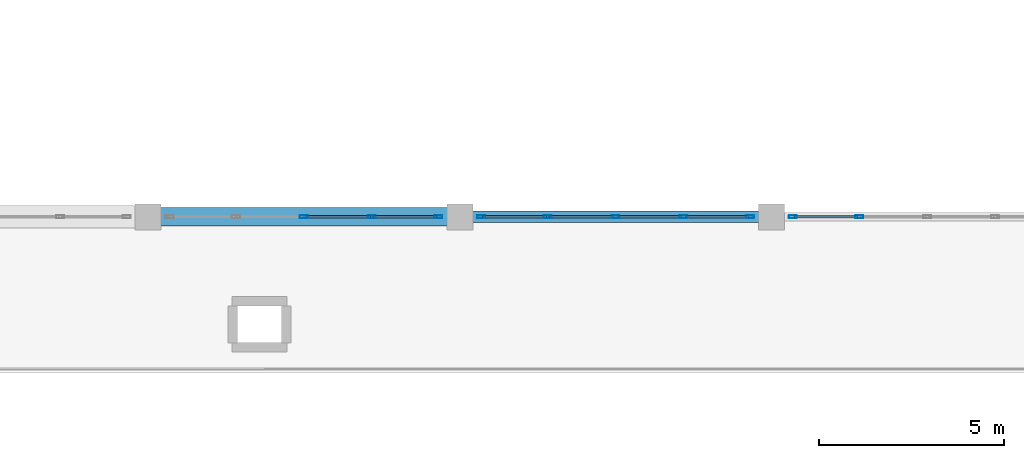
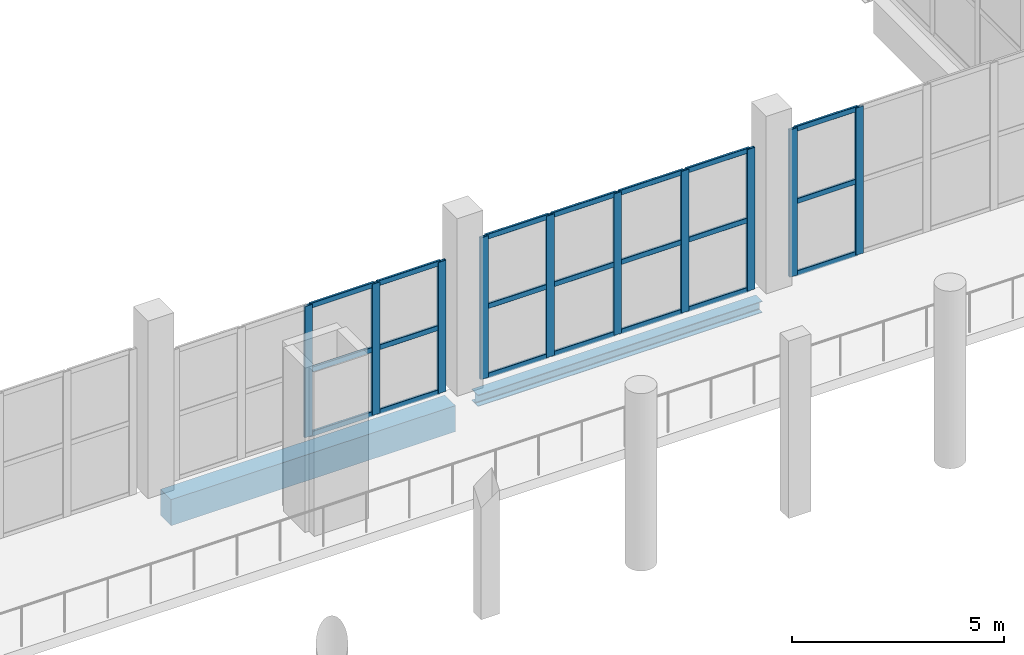
# One storey, part 11 of 66: 31 members, 2 beams, 3 elements without a shape of their own.
"""IFC4 building model written with IfcOpenShell, lengths in metres."""

from ifc_helpers import new_model, si_unit, direction, frame, origin, origin_2d, place, context, subcontext, project, spatial, rectangle, hollow_rectangle, i_section, extrude, material, layer, layer_set, material_profile, profile_set, type_object, element, aggregate, save


model = new_model("IFC4")

# Units and contexts
model_context = context("Model", 3, precision=1e-05, world=origin(), true_north=direction((0.0, 1.0)))
body_context = subcontext(model_context, "Body", "Model", "MODEL_VIEW")
ifc_project = project(units=[si_unit("LENGTHUNIT", "METRE"), si_unit("AREAUNIT", "SQUARE_METRE"), si_unit("VOLUMEUNIT", "CUBIC_METRE"), si_unit("PLANEANGLEUNIT", "RADIAN"), si_unit("MASSUNIT", "GRAM", prefix="KILO")], contexts=[model_context])

# Site, building, storey
site_placement = place(None, origin())
site = spatial("IfcSite", under=ifc_project, at=site_placement, CompositionType="ELEMENT")
building_placement = place(site_placement, origin())
building = spatial("IfcBuilding", under=site, at=building_placement, Name="Zulmaris Art Gallery", CompositionType="ELEMENT")
storey_placement = place(building_placement, frame((0.0, 0.0, 5.39990234375)))
storey = spatial("IfcBuildingStorey", under=building, at=storey_placement, Name="L01", CompositionType="ELEMENT", Elevation=5.39990234375)

# Beams
ifc_material_1 = material(Name="Steel S355J2", Category="steel")
ifc_material_profile_1 = material_profile(ifc_material_1, i_section(OverallWidth=0.300048828125, OverallDepth=0.330078125, WebThickness=0.009521484375, FlangeThickness=0.0166015625, FilletRadius=0.027099609375, at=origin_2d()), Name="HEA 340")
ifc_profile_set_1 = profile_set([ifc_material_profile_1], Name="Steel S355J2")
beam_type_1 = type_object("IfcBeamType", Name="BEAM-BM08", PredefinedType="BEAM", material=ifc_profile_set_1)
beam_1_placement = place(storey_placement, frame((108.3349609375, 21.60009765625, -0.494873046875), z_axis=(1.0, 0.0, 0.0), x_axis=(0.0, 1.0, 0.0)))
element("IfcBeam", 1, at=beam_1_placement, inside=storey, type_object=beam_type_1, Name="L01 X-girder (108.0..116.4, y=21.6)", PredefinedType="BEAM", context=body_context, shape_type="SweptSolid", body=[
    extrude(i_section(OverallWidth=0.300048828125, OverallDepth=0.330078125, WebThickness=0.009521484375, FlangeThickness=0.0166015625, FilletRadius=0.027099609375, at=origin_2d()), origin(), (0.0, 0.0, 1.0), 7.72998046875),
])
ifc_material_2 = material(Name="Concrete C40/50", Category="concrete")
ifc_material_profile_2 = material_profile(ifc_material_2, rectangle(XDim=0.5, YDim=0.75, at=origin_2d()), Name="RC 500x750")
ifc_profile_set_2 = profile_set([ifc_material_profile_2], Name="Concrete C40/50")
beam_type_2 = type_object("IfcBeamType", Name="BEAM-BM20", PredefinedType="BEAM", material=ifc_profile_set_2)
beam_2_placement = place(storey_placement, frame((99.93505859375, 21.60009765625, -0.704833984375), z_axis=(1.0, 0.0, 0.0), x_axis=(0.0, 1.0, 0.0)))
element("IfcBeam", 2, at=beam_2_placement, inside=storey, type_object=beam_type_2, Name="L01 X-girder (99.6..108.0, y=21.6)", PredefinedType="BEAM", context=body_context, shape_type="SweptSolid", body=[
    extrude(rectangle(XDim=0.5, YDim=0.75, at=origin_2d()), origin(), (0.0, 0.0, 1.0), 7.72998046875),
])

# Curtain wall, members
ifc_material_3 = material(Name="Cloister & Court Glazed Curtain Wall", Category="aluminium")
ifc_layer = layer(ifc_material_3, 0.179931640625)
ifc_layer_set = layer_set([ifc_layer], Name="Cloister & Court Glazed Curtain Wall")
curtain_wall_type = type_object("IfcCurtainWallType", Name="CW-CW03", PredefinedType="NOTDEFINED", material=ifc_layer_set)
curtain_wall_1_placement = place(storey_placement, origin())
curtain_wall_1 = element("IfcCurtainWall", 3, at=curtain_wall_1_placement, inside=storey, type_object=curtain_wall_type, Name="L01 curtain wall 190", PredefinedType="NOTDEFINED")
ifc_material_4 = material(Name="Anodised Bronze Aluminium", Category="aluminium")
ifc_material_profile_3 = material_profile(ifc_material_4, hollow_rectangle(XDim=0.074951171875, YDim=0.219970703125, WallThickness=0.0048828125, InnerFilletRadius=0.007568359375, OuterFilletRadius=0.012451171875, at=origin_2d()), Name="ALU 75x220x5")
ifc_profile_set_3 = profile_set([ifc_material_profile_3], Name="Anodised Bronze Aluminium")
member_type_1 = type_object("IfcMemberType", Name="CWMUL-02", PredefinedType="MULLION", material=ifc_profile_set_3)
member_1_placement = place(storey_placement, frame((103.800048828125, 21.60009765625, 0.0), z_axis=(0.0, 0.0, 1.0), x_axis=(0.0, 1.0, 0.0)))
member_1 = element("IfcMember", 4, at=member_1_placement, type_object=member_type_1, Name="CW03 mullion 3", PredefinedType="MULLION", context=body_context, shape_type="SweptSolid", body=[
    extrude(hollow_rectangle(XDim=0.074951171875, YDim=0.219970703125, WallThickness=0.0048828125, InnerFilletRadius=0.007568359375, OuterFilletRadius=0.012451171875, at=origin_2d()), origin(), (0.0, 0.0, 1.0), 3.77001953125),
])
member_2_placement = place(storey_placement, frame((105.6298828125, 21.60009765625, 0.0), z_axis=(0.0, 0.0, 1.0), x_axis=(0.0, 1.0, 0.0)))
member_2 = element("IfcMember", 5, at=member_2_placement, type_object=member_type_1, Name="CW03 mullion 4", PredefinedType="MULLION", context=body_context, shape_type="SweptSolid", body=[
    extrude(hollow_rectangle(XDim=0.074951171875, YDim=0.219970703125, WallThickness=0.0048828125, InnerFilletRadius=0.007568359375, OuterFilletRadius=0.012451171875, at=origin_2d()), origin(), (0.0, 0.0, 1.0), 3.77001953125),
])
member_3_placement = place(storey_placement, frame((107.422607421875, 21.60009765625, 0.0), z_axis=(0.0, 0.0, 1.0), x_axis=(0.0, 1.0, 0.0)))
member_3 = element("IfcMember", 6, at=member_3_placement, type_object=member_type_1, Name="CW03 mullion 5", PredefinedType="MULLION", context=body_context, shape_type="SweptSolid", body=[
    extrude(hollow_rectangle(XDim=0.074951171875, YDim=0.219970703125, WallThickness=0.0048828125, InnerFilletRadius=0.007568359375, OuterFilletRadius=0.012451171875, at=origin_2d()), origin(), (0.0, 0.0, 1.0), 3.77001953125),
])

curtain_wall_2_placement = place(storey_placement, origin())
curtain_wall_2 = element("IfcCurtainWall", 7, at=curtain_wall_2_placement, inside=storey, type_object=curtain_wall_type, Name="L01 curtain wall 191", PredefinedType="NOTDEFINED")
member_4_placement = place(storey_placement, frame((108.577392578125, 21.60009765625, 0.0), z_axis=(0.0, 0.0, 1.0), x_axis=(0.0, 1.0, 0.0)))
member_4 = element("IfcMember", 8, at=member_4_placement, type_object=member_type_1, Name="CW03 mullion 1", PredefinedType="MULLION", context=body_context, shape_type="SweptSolid", body=[
    extrude(hollow_rectangle(XDim=0.074951171875, YDim=0.219970703125, WallThickness=0.0048828125, InnerFilletRadius=0.007568359375, OuterFilletRadius=0.012451171875, at=origin_2d()), origin(), (0.0, 0.0, 1.0), 4.070068359375),
])
member_5_placement = place(storey_placement, frame((110.3701171875, 21.60009765625, 0.0), z_axis=(0.0, 0.0, 1.0), x_axis=(0.0, 1.0, 0.0)))
member_5 = element("IfcMember", 9, at=member_5_placement, type_object=member_type_1, Name="CW03 mullion 2", PredefinedType="MULLION", context=body_context, shape_type="SweptSolid", body=[
    extrude(hollow_rectangle(XDim=0.074951171875, YDim=0.219970703125, WallThickness=0.0048828125, InnerFilletRadius=0.007568359375, OuterFilletRadius=0.012451171875, at=origin_2d()), origin(), (0.0, 0.0, 1.0), 4.070068359375),
])
member_6_placement = place(storey_placement, frame((112.199951171875, 21.60009765625, 0.0), z_axis=(0.0, 0.0, 1.0), x_axis=(0.0, 1.0, 0.0)))
member_6 = element("IfcMember", 10, at=member_6_placement, type_object=member_type_1, Name="CW03 mullion 3", PredefinedType="MULLION", context=body_context, shape_type="SweptSolid", body=[
    extrude(hollow_rectangle(XDim=0.074951171875, YDim=0.219970703125, WallThickness=0.0048828125, InnerFilletRadius=0.007568359375, OuterFilletRadius=0.012451171875, at=origin_2d()), origin(), (0.0, 0.0, 1.0), 4.070068359375),
])
member_7_placement = place(storey_placement, frame((114.030029296875, 21.60009765625, 0.0), z_axis=(0.0, 0.0, 1.0), x_axis=(0.0, 1.0, 0.0)))
member_7 = element("IfcMember", 11, at=member_7_placement, type_object=member_type_1, Name="CW03 mullion 4", PredefinedType="MULLION", context=body_context, shape_type="SweptSolid", body=[
    extrude(hollow_rectangle(XDim=0.074951171875, YDim=0.219970703125, WallThickness=0.0048828125, InnerFilletRadius=0.007568359375, OuterFilletRadius=0.012451171875, at=origin_2d()), origin(), (0.0, 0.0, 1.0), 4.070068359375),
])
member_8_placement = place(storey_placement, frame((115.822509765625, 21.60009765625, 0.0), z_axis=(0.0, 0.0, 1.0), x_axis=(0.0, 1.0, 0.0)))
member_8 = element("IfcMember", 12, at=member_8_placement, type_object=member_type_1, Name="CW03 mullion 5", PredefinedType="MULLION", context=body_context, shape_type="SweptSolid", body=[
    extrude(hollow_rectangle(XDim=0.074951171875, YDim=0.219970703125, WallThickness=0.0048828125, InnerFilletRadius=0.007568359375, OuterFilletRadius=0.012451171875, at=origin_2d()), origin(), (0.0, 0.0, 1.0), 4.070068359375),
])

curtain_wall_3_placement = place(storey_placement, origin())
curtain_wall_3 = element("IfcCurtainWall", 13, at=curtain_wall_3_placement, inside=storey, type_object=curtain_wall_type, Name="L01 curtain wall 192", PredefinedType="NOTDEFINED")
member_9_placement = place(storey_placement, frame((116.9775390625, 21.60009765625, 0.0), z_axis=(0.0, 0.0, 1.0), x_axis=(0.0, 1.0, 0.0)))
member_9 = element("IfcMember", 14, at=member_9_placement, type_object=member_type_1, Name="CW03 mullion 1", PredefinedType="MULLION", context=body_context, shape_type="SweptSolid", body=[
    extrude(hollow_rectangle(XDim=0.074951171875, YDim=0.219970703125, WallThickness=0.0048828125, InnerFilletRadius=0.007568359375, OuterFilletRadius=0.012451171875, at=origin_2d()), origin(), (0.0, 0.0, 1.0), 4.22998046875),
])
member_10_placement = place(storey_placement, frame((118.77001953125, 21.60009765625, 0.0), z_axis=(0.0, 0.0, 1.0), x_axis=(0.0, 1.0, 0.0)))
member_10 = element("IfcMember", 15, at=member_10_placement, type_object=member_type_1, Name="CW03 mullion 2", PredefinedType="MULLION", context=body_context, shape_type="SweptSolid", body=[
    extrude(hollow_rectangle(XDim=0.074951171875, YDim=0.219970703125, WallThickness=0.0048828125, InnerFilletRadius=0.007568359375, OuterFilletRadius=0.012451171875, at=origin_2d()), origin(), (0.0, 0.0, 1.0), 4.22998046875),
])

# Member
ifc_material_profile_4 = material_profile(ifc_material_4, hollow_rectangle(XDim=0.06494140625, YDim=0.14990234375, WallThickness=0.00390625, InnerFilletRadius=0.006103515625, OuterFilletRadius=0.010009765625, at=origin_2d()), Name="ALU 65x150x4")
ifc_profile_set_4 = profile_set([ifc_material_profile_4], Name="Anodised Bronze Aluminium")
member_type_2 = type_object("IfcMemberType", Name="CWTRN-01", PredefinedType="USERDEFINED", material=ifc_profile_set_4)
member_11_placement = place(storey_placement, frame((103.83740234375, 21.60009765625, 0.03759765625), z_axis=(1.0, 0.0, 0.0), x_axis=(0.0, 1.0, 0.0)))
member_11 = element("IfcMember", 16, at=member_11_placement, type_object=member_type_2, Name="CW03 transom 3.1", ObjectType="TRANSOM", PredefinedType="USERDEFINED", context=body_context, shape_type="SweptSolid", body=[
    extrude(hollow_rectangle(XDim=0.06494140625, YDim=0.14990234375, WallThickness=0.00390625, InnerFilletRadius=0.006103515625, OuterFilletRadius=0.010009765625, at=origin_2d()), origin(), (0.0, 0.0, 1.0), 1.755126953125),
])

member_12_placement = place(storey_placement, frame((103.83740234375, 21.60009765625, 1.885009765625), z_axis=(1.0, 0.0, 0.0), x_axis=(0.0, 1.0, 0.0)))
member_12 = element("IfcMember", 17, at=member_12_placement, type_object=member_type_2, Name="CW03 transom 3.2", ObjectType="TRANSOM", PredefinedType="USERDEFINED", context=body_context, shape_type="SweptSolid", body=[
    extrude(hollow_rectangle(XDim=0.06494140625, YDim=0.14990234375, WallThickness=0.00390625, InnerFilletRadius=0.006103515625, OuterFilletRadius=0.010009765625, at=origin_2d()), origin(), (0.0, 0.0, 1.0), 1.755126953125),
])

member_13_placement = place(storey_placement, frame((103.83740234375, 21.60009765625, 3.732666015625), z_axis=(1.0, 0.0, 0.0), x_axis=(0.0, 1.0, 0.0)))
member_13 = element("IfcMember", 18, at=member_13_placement, type_object=member_type_2, Name="CW03 transom 3.3", ObjectType="TRANSOM", PredefinedType="USERDEFINED", context=body_context, shape_type="SweptSolid", body=[
    extrude(hollow_rectangle(XDim=0.06494140625, YDim=0.14990234375, WallThickness=0.00390625, InnerFilletRadius=0.006103515625, OuterFilletRadius=0.010009765625, at=origin_2d()), origin(), (0.0, 0.0, 1.0), 1.755126953125),
])

member_14_placement = place(storey_placement, frame((105.66748046875, 21.60009765625, 0.03759765625), z_axis=(1.0, 0.0, 0.0), x_axis=(0.0, 1.0, 0.0)))
member_14 = element("IfcMember", 19, at=member_14_placement, type_object=member_type_2, Name="CW03 transom 4.1", ObjectType="TRANSOM", PredefinedType="USERDEFINED", context=body_context, shape_type="SweptSolid", body=[
    extrude(hollow_rectangle(XDim=0.06494140625, YDim=0.14990234375, WallThickness=0.00390625, InnerFilletRadius=0.006103515625, OuterFilletRadius=0.010009765625, at=origin_2d()), origin(), (0.0, 0.0, 1.0), 1.717529296875),
])

member_15_placement = place(storey_placement, frame((105.66748046875, 21.60009765625, 1.885009765625), z_axis=(1.0, 0.0, 0.0), x_axis=(0.0, 1.0, 0.0)))
member_15 = element("IfcMember", 20, at=member_15_placement, type_object=member_type_2, Name="CW03 transom 4.2", ObjectType="TRANSOM", PredefinedType="USERDEFINED", context=body_context, shape_type="SweptSolid", body=[
    extrude(hollow_rectangle(XDim=0.06494140625, YDim=0.14990234375, WallThickness=0.00390625, InnerFilletRadius=0.006103515625, OuterFilletRadius=0.010009765625, at=origin_2d()), origin(), (0.0, 0.0, 1.0), 1.717529296875),
])

member_16_placement = place(storey_placement, frame((105.66748046875, 21.60009765625, 3.732666015625), z_axis=(1.0, 0.0, 0.0), x_axis=(0.0, 1.0, 0.0)))
member_16 = element("IfcMember", 21, at=member_16_placement, type_object=member_type_2, Name="CW03 transom 4.3", ObjectType="TRANSOM", PredefinedType="USERDEFINED", context=body_context, shape_type="SweptSolid", body=[
    extrude(hollow_rectangle(XDim=0.06494140625, YDim=0.14990234375, WallThickness=0.00390625, InnerFilletRadius=0.006103515625, OuterFilletRadius=0.010009765625, at=origin_2d()), origin(), (0.0, 0.0, 1.0), 1.717529296875),
])

aggregate(curtain_wall_1, [member_1, member_2, member_3, member_11, member_12, member_13, member_14, member_15, member_16])

member_17_placement = place(storey_placement, frame((108.614990234375, 21.60009765625, 0.03759765625), z_axis=(1.0, 0.0, 0.0), x_axis=(0.0, 1.0, 0.0)))
member_17 = element("IfcMember", 22, at=member_17_placement, type_object=member_type_2, Name="CW03 transom 1.1", ObjectType="TRANSOM", PredefinedType="USERDEFINED", context=body_context, shape_type="SweptSolid", body=[
    extrude(hollow_rectangle(XDim=0.06494140625, YDim=0.14990234375, WallThickness=0.00390625, InnerFilletRadius=0.006103515625, OuterFilletRadius=0.010009765625, at=origin_2d()), origin(), (0.0, 0.0, 1.0), 1.717529296875),
])

member_18_placement = place(storey_placement, frame((108.614990234375, 21.60009765625, 2.03515625), z_axis=(1.0, 0.0, 0.0), x_axis=(0.0, 1.0, 0.0)))
member_18 = element("IfcMember", 23, at=member_18_placement, type_object=member_type_2, Name="CW03 transom 1.2", ObjectType="TRANSOM", PredefinedType="USERDEFINED", context=body_context, shape_type="SweptSolid", body=[
    extrude(hollow_rectangle(XDim=0.06494140625, YDim=0.14990234375, WallThickness=0.00390625, InnerFilletRadius=0.006103515625, OuterFilletRadius=0.010009765625, at=origin_2d()), origin(), (0.0, 0.0, 1.0), 1.717529296875),
])

member_19_placement = place(storey_placement, frame((108.614990234375, 21.60009765625, 4.03271484375), z_axis=(1.0, 0.0, 0.0), x_axis=(0.0, 1.0, 0.0)))
member_19 = element("IfcMember", 24, at=member_19_placement, type_object=member_type_2, Name="CW03 transom 1.3", ObjectType="TRANSOM", PredefinedType="USERDEFINED", context=body_context, shape_type="SweptSolid", body=[
    extrude(hollow_rectangle(XDim=0.06494140625, YDim=0.14990234375, WallThickness=0.00390625, InnerFilletRadius=0.006103515625, OuterFilletRadius=0.010009765625, at=origin_2d()), origin(), (0.0, 0.0, 1.0), 1.717529296875),
])

member_20_placement = place(storey_placement, frame((110.407470703125, 21.60009765625, 0.03759765625), z_axis=(1.0, 0.0, 0.0), x_axis=(0.0, 1.0, 0.0)))
member_20 = element("IfcMember", 25, at=member_20_placement, type_object=member_type_2, Name="CW03 transom 2.1", ObjectType="TRANSOM", PredefinedType="USERDEFINED", context=body_context, shape_type="SweptSolid", body=[
    extrude(hollow_rectangle(XDim=0.06494140625, YDim=0.14990234375, WallThickness=0.00390625, InnerFilletRadius=0.006103515625, OuterFilletRadius=0.010009765625, at=origin_2d()), origin(), (0.0, 0.0, 1.0), 1.755126953125),
])

member_21_placement = place(storey_placement, frame((110.407470703125, 21.60009765625, 2.03515625), z_axis=(1.0, 0.0, 0.0), x_axis=(0.0, 1.0, 0.0)))
member_21 = element("IfcMember", 26, at=member_21_placement, type_object=member_type_2, Name="CW03 transom 2.2", ObjectType="TRANSOM", PredefinedType="USERDEFINED", context=body_context, shape_type="SweptSolid", body=[
    extrude(hollow_rectangle(XDim=0.06494140625, YDim=0.14990234375, WallThickness=0.00390625, InnerFilletRadius=0.006103515625, OuterFilletRadius=0.010009765625, at=origin_2d()), origin(), (0.0, 0.0, 1.0), 1.755126953125),
])

member_22_placement = place(storey_placement, frame((110.407470703125, 21.60009765625, 4.03271484375), z_axis=(1.0, 0.0, 0.0), x_axis=(0.0, 1.0, 0.0)))
member_22 = element("IfcMember", 27, at=member_22_placement, type_object=member_type_2, Name="CW03 transom 2.3", ObjectType="TRANSOM", PredefinedType="USERDEFINED", context=body_context, shape_type="SweptSolid", body=[
    extrude(hollow_rectangle(XDim=0.06494140625, YDim=0.14990234375, WallThickness=0.00390625, InnerFilletRadius=0.006103515625, OuterFilletRadius=0.010009765625, at=origin_2d()), origin(), (0.0, 0.0, 1.0), 1.755126953125),
])

member_23_placement = place(storey_placement, frame((112.237548828125, 21.60009765625, 0.03759765625), z_axis=(1.0, 0.0, 0.0), x_axis=(0.0, 1.0, 0.0)))
member_23 = element("IfcMember", 28, at=member_23_placement, type_object=member_type_2, Name="CW03 transom 3.1", ObjectType="TRANSOM", PredefinedType="USERDEFINED", context=body_context, shape_type="SweptSolid", body=[
    extrude(hollow_rectangle(XDim=0.06494140625, YDim=0.14990234375, WallThickness=0.00390625, InnerFilletRadius=0.006103515625, OuterFilletRadius=0.010009765625, at=origin_2d()), origin(), (0.0, 0.0, 1.0), 1.7548828125),
])

member_24_placement = place(storey_placement, frame((112.237548828125, 21.60009765625, 2.03515625), z_axis=(1.0, 0.0, 0.0), x_axis=(0.0, 1.0, 0.0)))
member_24 = element("IfcMember", 29, at=member_24_placement, type_object=member_type_2, Name="CW03 transom 3.2", ObjectType="TRANSOM", PredefinedType="USERDEFINED", context=body_context, shape_type="SweptSolid", body=[
    extrude(hollow_rectangle(XDim=0.06494140625, YDim=0.14990234375, WallThickness=0.00390625, InnerFilletRadius=0.006103515625, OuterFilletRadius=0.010009765625, at=origin_2d()), origin(), (0.0, 0.0, 1.0), 1.7548828125),
])

member_25_placement = place(storey_placement, frame((112.237548828125, 21.60009765625, 4.03271484375), z_axis=(1.0, 0.0, 0.0), x_axis=(0.0, 1.0, 0.0)))
member_25 = element("IfcMember", 30, at=member_25_placement, type_object=member_type_2, Name="CW03 transom 3.3", ObjectType="TRANSOM", PredefinedType="USERDEFINED", context=body_context, shape_type="SweptSolid", body=[
    extrude(hollow_rectangle(XDim=0.06494140625, YDim=0.14990234375, WallThickness=0.00390625, InnerFilletRadius=0.006103515625, OuterFilletRadius=0.010009765625, at=origin_2d()), origin(), (0.0, 0.0, 1.0), 1.7548828125),
])

member_26_placement = place(storey_placement, frame((114.0673828125, 21.60009765625, 0.03759765625), z_axis=(1.0, 0.0, 0.0), x_axis=(0.0, 1.0, 0.0)))
member_26 = element("IfcMember", 31, at=member_26_placement, type_object=member_type_2, Name="CW03 transom 4.1", ObjectType="TRANSOM", PredefinedType="USERDEFINED", context=body_context, shape_type="SweptSolid", body=[
    extrude(hollow_rectangle(XDim=0.06494140625, YDim=0.14990234375, WallThickness=0.00390625, InnerFilletRadius=0.006103515625, OuterFilletRadius=0.010009765625, at=origin_2d()), origin(), (0.0, 0.0, 1.0), 1.717529296875),
])

member_27_placement = place(storey_placement, frame((114.0673828125, 21.60009765625, 2.03515625), z_axis=(1.0, 0.0, 0.0), x_axis=(0.0, 1.0, 0.0)))
member_27 = element("IfcMember", 32, at=member_27_placement, type_object=member_type_2, Name="CW03 transom 4.2", ObjectType="TRANSOM", PredefinedType="USERDEFINED", context=body_context, shape_type="SweptSolid", body=[
    extrude(hollow_rectangle(XDim=0.06494140625, YDim=0.14990234375, WallThickness=0.00390625, InnerFilletRadius=0.006103515625, OuterFilletRadius=0.010009765625, at=origin_2d()), origin(), (0.0, 0.0, 1.0), 1.717529296875),
])

member_28_placement = place(storey_placement, frame((114.0673828125, 21.60009765625, 4.03271484375), z_axis=(1.0, 0.0, 0.0), x_axis=(0.0, 1.0, 0.0)))
member_28 = element("IfcMember", 33, at=member_28_placement, type_object=member_type_2, Name="CW03 transom 4.3", ObjectType="TRANSOM", PredefinedType="USERDEFINED", context=body_context, shape_type="SweptSolid", body=[
    extrude(hollow_rectangle(XDim=0.06494140625, YDim=0.14990234375, WallThickness=0.00390625, InnerFilletRadius=0.006103515625, OuterFilletRadius=0.010009765625, at=origin_2d()), origin(), (0.0, 0.0, 1.0), 1.717529296875),
])

aggregate(curtain_wall_2, [member_4, member_5, member_6, member_7, member_8, member_17, member_18, member_19, member_20, member_21, member_22, member_23, member_24, member_25, member_26, member_27, member_28])

member_29_placement = place(storey_placement, frame((117.014892578125, 21.60009765625, 0.03759765625), z_axis=(1.0, 0.0, 0.0), x_axis=(0.0, 1.0, 0.0)))
member_29 = element("IfcMember", 34, at=member_29_placement, type_object=member_type_2, Name="CW03 transom 1.1", ObjectType="TRANSOM", PredefinedType="USERDEFINED", context=body_context, shape_type="SweptSolid", body=[
    extrude(hollow_rectangle(XDim=0.06494140625, YDim=0.14990234375, WallThickness=0.00390625, InnerFilletRadius=0.006103515625, OuterFilletRadius=0.010009765625, at=origin_2d()), origin(), (0.0, 0.0, 1.0), 1.717529296875),
])

member_30_placement = place(storey_placement, frame((117.014892578125, 21.60009765625, 2.114990234375), z_axis=(1.0, 0.0, 0.0), x_axis=(0.0, 1.0, 0.0)))
member_30 = element("IfcMember", 35, at=member_30_placement, type_object=member_type_2, Name="CW03 transom 1.2", ObjectType="TRANSOM", PredefinedType="USERDEFINED", context=body_context, shape_type="SweptSolid", body=[
    extrude(hollow_rectangle(XDim=0.06494140625, YDim=0.14990234375, WallThickness=0.00390625, InnerFilletRadius=0.006103515625, OuterFilletRadius=0.010009765625, at=origin_2d()), origin(), (0.0, 0.0, 1.0), 1.717529296875),
])

member_31_placement = place(storey_placement, frame((117.014892578125, 21.60009765625, 4.192626953125), z_axis=(1.0, 0.0, 0.0), x_axis=(0.0, 1.0, 0.0)))
member_31 = element("IfcMember", 36, at=member_31_placement, type_object=member_type_2, Name="CW03 transom 1.3", ObjectType="TRANSOM", PredefinedType="USERDEFINED", context=body_context, shape_type="SweptSolid", body=[
    extrude(hollow_rectangle(XDim=0.06494140625, YDim=0.14990234375, WallThickness=0.00390625, InnerFilletRadius=0.006103515625, OuterFilletRadius=0.010009765625, at=origin_2d()), origin(), (0.0, 0.0, 1.0), 1.717529296875),
])

aggregate(curtain_wall_3, [member_9, member_10, member_29, member_30, member_31])

save(model, "model.ifc")
